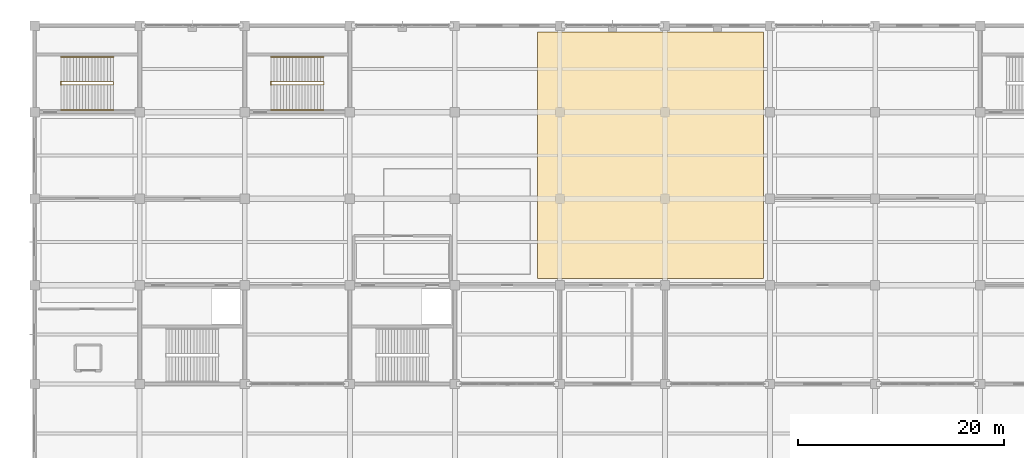
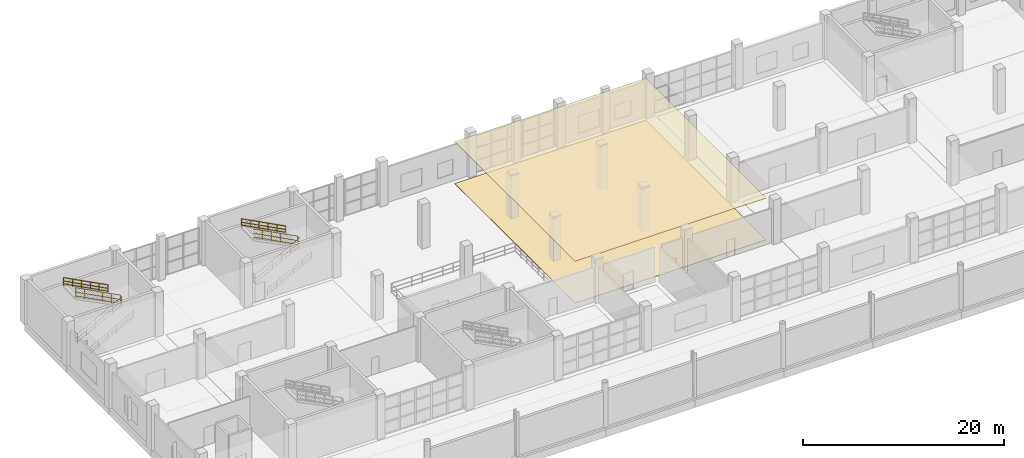
# One storey, part 173 of 175: 8 railings, 2 coverings.
"""IFC4 building model written with IfcOpenShell, lengths in metres."""

from ifc_helpers import new_model, si_unit, direction, frame, origin, origin_2d, place, context, subcontext, project, spatial, polyline, circle, outline, extrude, material, layer, layer_set, type_object, element, save


model = new_model("IFC4")

# Units and contexts
model_context = context("Model", 3, precision=1e-05, world=origin(), true_north=direction((0.0, 1.0)))
body_context = subcontext(model_context, "Body", "Model", "MODEL_VIEW")
ifc_project = project(units=[si_unit("LENGTHUNIT", "METRE"), si_unit("AREAUNIT", "SQUARE_METRE"), si_unit("VOLUMEUNIT", "CUBIC_METRE"), si_unit("PLANEANGLEUNIT", "RADIAN"), si_unit("MASSUNIT", "GRAM", prefix="KILO")], contexts=[model_context])

# Site, building, storey
site_placement = place(None, origin())
site = spatial("IfcSite", under=ifc_project, at=site_placement, CompositionType="ELEMENT")
building_placement = place(site_placement, origin())
building = spatial("IfcBuilding", under=site, at=building_placement, Name="Brelvane Convention Centre", CompositionType="ELEMENT")
storey_placement = place(building_placement, frame((0.0, 0.0, 5.39990234375)))
storey = spatial("IfcBuildingStorey", under=building, at=storey_placement, Name="L01", CompositionType="ELEMENT", Elevation=5.39990234375)

# Coverings
ifc_material_1 = material(Name="Perforated Anodised Aluminium Alloy 6063 Acoustic Baffle", Category="aluminium")
ifc_layer_1 = layer(ifc_material_1, 0.06005859375)
ifc_layer_set_1 = layer_set([ifc_layer_1], Name="Perforated Anodised Aluminium Alloy 6063 Acoustic Baffle")
covering_type_1 = type_object("IfcCoveringType", Name="Interior Finish CL-BAF-60", PredefinedType="CEILING", material=ifc_layer_set_1)
covering_1_placement = place(storey_placement, frame((0.0, 0.0, 5.06005859375)))
element("IfcCovering", 1, at=covering_1_placement, inside=storey, type_object=covering_type_1, Name="Meeting Room 203 Acoustic Ceiling (CL-BAF-60)", PredefinedType="CEILING", context=body_context, shape_type="SweptSolid", body=[
    extrude(outline(polyline([(48.830078125, 119.429931640625), (70.77001953125, 119.429931640625), (70.77001953125, 143.3701171875), (48.830078125, 143.3701171875), (48.830078125, 119.429931640625)])), origin(), (0.0, 0.0, 1.0), 0.06005859375),
])
ifc_material_2 = material(Name="Polished Basalt-Aggregate Terrazzo Screed Concrete M30", Category="masonry")
ifc_layer_2 = layer(ifc_material_2, 0.0400390625)
ifc_layer_set_2 = layer_set([ifc_layer_2], Name="Polished Basalt-Aggregate Terrazzo Screed Concrete M30")
covering_type_2 = type_object("IfcCoveringType", Name="Interior Finish FL-TER-40", PredefinedType="FLOORING", material=ifc_layer_set_2)
covering_2_placement = place(storey_placement, origin())
element("IfcCovering", 2, at=covering_2_placement, inside=storey, type_object=covering_type_2, Name="Meeting Room 203 Floor Finish (FL-TER-40)", PredefinedType="FLOORING", context=body_context, shape_type="SweptSolid", body=[
    extrude(outline(polyline([(48.830078125, 119.429931640625), (70.77001953125, 119.429931640625), (70.77001953125, 143.3701171875), (48.830078125, 143.3701171875), (48.830078125, 119.429931640625)])), origin(), (0.0, 0.0, 1.0), 0.0400390625),
])

# Railings
ifc_material_3 = material(Name="Steel E350 (350 MPa)", Category="steel")
railing_type_1 = type_object("IfcRailingType", Name="Stair Railing GR-ST-1", PredefinedType="GUARDRAIL", material=ifc_material_3)
railing_1_placement = place(storey_placement, frame((22.949951171875, 138.239990234375, -0.02001953125)))
element("IfcRailing", 3, at=railing_1_placement, inside=storey, type_object=railing_type_1, Name="Stair ST-13 L01 Inner Well Guard", PredefinedType="GUARDRAIL", context=body_context, shape_type="SweptSolid", body=[
    extrude(circle(Radius=0.02392578125, at=origin_2d()), frame((0.0, 0.0, 1.1259765625), z_axis=(0.882341248864, 0.0, 0.470610157724), x_axis=(0.0, 1.0, 0.0)), (0.0, 0.0, 1.0), 5.7802734375),
    extrude(circle(Radius=0.02392578125, at=origin_2d()), frame((0.0, 0.0, 0.597900390625), z_axis=(0.882341248864, 0.0, 0.470610157724), x_axis=(0.0, 1.0, 0.0)), (0.0, 0.0, 1.0), 5.7802734375),
    extrude(circle(Radius=0.02392578125, at=origin_2d()), frame((0.0, 0.0, 0.139892578125), z_axis=(0.882341248864, 0.0, 0.470610157724), x_axis=(0.0, 1.0, 0.0)), (0.0, 0.0, 1.0), 5.7802734375),
    extrude(circle(Radius=0.02392578125, at=origin_2d()), frame((5.10009765625, 0.0, 3.84619140625), z_axis=(0.0, 1.0, 0.0), x_axis=(-1.0, 0.0, 0.0)), (0.0, 0.0, 1.0), 0.320068359375),
    extrude(circle(Radius=0.02392578125, at=origin_2d()), frame((5.10009765625, 0.0, 3.318115234375), z_axis=(0.0, 1.0, 0.0), x_axis=(-1.0, 0.0, 0.0)), (0.0, 0.0, 1.0), 0.320068359375),
    extrude(circle(Radius=0.02392578125, at=origin_2d()), frame((5.10009765625, 0.0, 2.860107421875), z_axis=(0.0, 1.0, 0.0), x_axis=(-1.0, 0.0, 0.0)), (0.0, 0.0, 1.0), 0.320068359375),
    extrude(circle(Radius=0.02392578125, at=origin_2d()), frame((5.10009765625, 0.320068359375, 3.84619140625), z_axis=(-0.885227801088, 0.0, 0.465157758379), x_axis=(0.0, -1.0, 0.0)), (0.0, 0.0, 1.0), 5.76123046875),
    extrude(circle(Radius=0.02392578125, at=origin_2d()), frame((5.10009765625, 0.320068359375, 3.318115234375), z_axis=(-0.885227801088, 0.0, 0.465157758379), x_axis=(0.0, -1.0, 0.0)), (0.0, 0.0, 1.0), 5.76123046875),
    extrude(circle(Radius=0.02392578125, at=origin_2d()), frame((5.10009765625, 0.320068359375, 2.860107421875), z_axis=(-0.885227801088, 0.0, 0.465157758379), x_axis=(0.0, -1.0, 0.0)), (0.0, 0.0, 1.0), 5.76123046875),
    extrude(circle(Radius=0.02099609375, at=origin_2d()), origin(), (0.0, 0.0, 1.0), 1.101806640625),
    extrude(circle(Radius=0.02099609375, at=origin_2d()), frame((1.02001953125, 0.0, 0.5439453125)), (0.0, 0.0, 1.0), 1.101806640625),
    extrude(circle(Radius=0.02099609375, at=origin_2d()), frame((2.0400390625, 0.0, 1.088134765625)), (0.0, 0.0, 1.0), 1.101806640625),
    extrude(circle(Radius=0.02099609375, at=origin_2d()), frame((3.06005859375, 0.0, 1.632080078125)), (0.0, 0.0, 1.0), 1.101806640625),
    extrude(circle(Radius=0.02099609375, at=origin_2d()), frame((4.080078125, 0.0, 2.17626953125)), (0.0, 0.0, 1.0), 1.101806640625),
    extrude(circle(Radius=0.02099609375, at=origin_2d()), frame((5.10009765625, 0.0, 2.72021484375)), (0.0, 0.0, 1.0), 1.101806640625),
    extrude(circle(Radius=0.02099609375, at=origin_2d()), frame((5.10009765625, 0.320068359375, 2.72021484375)), (0.0, 0.0, 1.0), 1.101806640625),
    extrude(circle(Radius=0.02099609375, at=origin_2d()), frame((4.080078125, 0.320068359375, 3.256103515625)), (0.0, 0.0, 1.0), 1.101806640625),
    extrude(circle(Radius=0.02099609375, at=origin_2d()), frame((3.06005859375, 0.320068359375, 3.792236328125)), (0.0, 0.0, 1.0), 1.101806640625),
    extrude(circle(Radius=0.02099609375, at=origin_2d()), frame((2.0400390625, 0.320068359375, 4.328125)), (0.0, 0.0, 1.0), 1.101806640625),
    extrude(circle(Radius=0.02099609375, at=origin_2d()), frame((1.02001953125, 0.320068359375, 4.8642578125)), (0.0, 0.0, 1.0), 1.101806640625),
    extrude(circle(Radius=0.02099609375, at=origin_2d()), frame((0.0, 0.320068359375, 5.400146484375)), (0.0, 0.0, 1.0), 1.101806640625),
])
railing_2_placement = place(storey_placement, frame((2.550048828125, 138.239990234375, -0.02001953125)))
element("IfcRailing", 4, at=railing_2_placement, inside=storey, type_object=railing_type_1, Name="Stair ST-17 L01 Inner Well Guard", PredefinedType="GUARDRAIL", context=body_context, shape_type="SweptSolid", body=[
    extrude(circle(Radius=0.02392578125, at=origin_2d()), frame((0.0, 0.0, 1.1259765625), z_axis=(0.882331893838, 0.0, 0.470627696929), x_axis=(0.0, 1.0, 0.0)), (0.0, 0.0, 1.0), 5.780029296875),
    extrude(circle(Radius=0.02392578125, at=origin_2d()), frame((0.0, 0.0, 0.597900390625), z_axis=(0.882331893838, 0.0, 0.470627696929), x_axis=(0.0, 1.0, 0.0)), (0.0, 0.0, 1.0), 5.780029296875),
    extrude(circle(Radius=0.02392578125, at=origin_2d()), frame((0.0, 0.0, 0.139892578125), z_axis=(0.882331893838, 0.0, 0.470627696929), x_axis=(0.0, 1.0, 0.0)), (0.0, 0.0, 1.0), 5.780029296875),
    extrude(circle(Radius=0.02392578125, at=origin_2d()), frame((5.099853515625, 0.0, 3.84619140625), z_axis=(0.0, 1.0, 0.0), x_axis=(-1.0, 0.0, 0.0)), (0.0, 0.0, 1.0), 0.320068359375),
    extrude(circle(Radius=0.02392578125, at=origin_2d()), frame((5.099853515625, 0.0, 3.318115234375), z_axis=(0.0, 1.0, 0.0), x_axis=(-1.0, 0.0, 0.0)), (0.0, 0.0, 1.0), 0.320068359375),
    extrude(circle(Radius=0.02392578125, at=origin_2d()), frame((5.099853515625, 0.0, 2.860107421875), z_axis=(0.0, 1.0, 0.0), x_axis=(-1.0, 0.0, 0.0)), (0.0, 0.0, 1.0), 0.320068359375),
    extrude(circle(Radius=0.02392578125, at=origin_2d()), frame((5.099853515625, 0.320068359375, 3.84619140625), z_axis=(-0.885218631674, 0.0, 0.465175207999), x_axis=(0.0, -1.0, 0.0)), (0.0, 0.0, 1.0), 5.76123046875),
    extrude(circle(Radius=0.02392578125, at=origin_2d()), frame((5.099853515625, 0.320068359375, 3.318115234375), z_axis=(-0.885218631674, 0.0, 0.465175207999), x_axis=(0.0, -1.0, 0.0)), (0.0, 0.0, 1.0), 5.76123046875),
    extrude(circle(Radius=0.02392578125, at=origin_2d()), frame((5.099853515625, 0.320068359375, 2.860107421875), z_axis=(-0.885218631674, 0.0, 0.465175207999), x_axis=(0.0, -1.0, 0.0)), (0.0, 0.0, 1.0), 5.76123046875),
    extrude(circle(Radius=0.02099609375, at=origin_2d()), origin(), (0.0, 0.0, 1.0), 1.101806640625),
    extrude(circle(Radius=0.02099609375, at=origin_2d()), frame((1.02001953125, 0.0, 0.5439453125)), (0.0, 0.0, 1.0), 1.101806640625),
    extrude(circle(Radius=0.02099609375, at=origin_2d()), frame((2.0400390625, 0.0, 1.088134765625)), (0.0, 0.0, 1.0), 1.101806640625),
    extrude(circle(Radius=0.02099609375, at=origin_2d()), frame((3.059814453125, 0.0, 1.632080078125)), (0.0, 0.0, 1.0), 1.101806640625),
    extrude(circle(Radius=0.02099609375, at=origin_2d()), frame((4.079833984375, 0.0, 2.17626953125)), (0.0, 0.0, 1.0), 1.101806640625),
    extrude(circle(Radius=0.02099609375, at=origin_2d()), frame((5.099853515625, 0.0, 2.72021484375)), (0.0, 0.0, 1.0), 1.101806640625),
    extrude(circle(Radius=0.02099609375, at=origin_2d()), frame((5.099853515625, 0.320068359375, 2.72021484375)), (0.0, 0.0, 1.0), 1.101806640625),
    extrude(circle(Radius=0.02099609375, at=origin_2d()), frame((4.079833984375, 0.320068359375, 3.256103515625)), (0.0, 0.0, 1.0), 1.101806640625),
    extrude(circle(Radius=0.02099609375, at=origin_2d()), frame((3.059814453125, 0.320068359375, 3.792236328125)), (0.0, 0.0, 1.0), 1.101806640625),
    extrude(circle(Radius=0.02099609375, at=origin_2d()), frame((2.0400390625, 0.320068359375, 4.328125)), (0.0, 0.0, 1.0), 1.101806640625),
    extrude(circle(Radius=0.02099609375, at=origin_2d()), frame((1.02001953125, 0.320068359375, 4.8642578125)), (0.0, 0.0, 1.0), 1.101806640625),
    extrude(circle(Radius=0.02099609375, at=origin_2d()), frame((0.0, 0.320068359375, 5.400146484375)), (0.0, 0.0, 1.0), 1.101806640625),
])
ifc_material_4 = material(Name="Steel E350 (350 MPa)", Category="steel")
railing_type_2 = type_object("IfcRailingType", Name="Stair Railing GR-ST-2", PredefinedType="GUARDRAIL", material=ifc_material_4)
for number, where, name in (
    (5, (22.949951171875, 138.239990234375, -0.02001953125), "Stair ST-13 L01 Landing Well Guard"),
    (6, (2.550048828125, 138.239990234375, -0.02001953125), "Stair ST-17 L01 Landing Well Guard"),
):
    element("IfcRailing", number, at=place(storey_placement, frame(where)), inside=storey, type_object=railing_type_2, Name=name, PredefinedType="GUARDRAIL", context=body_context, shape_type="SweptSolid", body=[
        extrude(circle(Radius=0.02392578125, at=origin_2d()), frame((0.0, 0.0, 1.15576171875), z_axis=(0.0, 1.0, 0.0), x_axis=(-1.0, 0.0, 0.0)), (0.0, 0.0, 1.0), 0.320068359375),
        extrude(circle(Radius=0.02392578125, at=origin_2d()), frame((0.0, 0.0, 0.613525390625), z_axis=(0.0, 1.0, 0.0), x_axis=(-1.0, 0.0, 0.0)), (0.0, 0.0, 1.0), 0.320068359375),
        extrude(circle(Radius=0.02392578125, at=origin_2d()), frame((0.0, 0.0, 0.139892578125), z_axis=(0.0, 1.0, 0.0), x_axis=(-1.0, 0.0, 0.0)), (0.0, 0.0, 1.0), 0.320068359375),
        extrude(circle(Radius=0.02099609375, at=origin_2d()), origin(), (0.0, 0.0, 1.0), 1.1318359375),
        extrude(circle(Radius=0.02099609375, at=origin_2d()), frame((0.0, 0.320068359375, 0.0)), (0.0, 0.0, 1.0), 1.1318359375),
    ])
ifc_material_5 = material(Name="Steel E350 (350 MPa)", Category="steel")
railing_type_3 = type_object("IfcRailingType", Name="Stair Railing HR-ST-1", PredefinedType="HANDRAIL", material=ifc_material_5)
railing_3_placement = place(storey_placement, frame((22.949951171875, 135.830078125, -0.02001953125)))
element("IfcRailing", 7, at=railing_3_placement, inside=storey, type_object=railing_type_3, Name="Stair ST-13 L01 Outer Handrail F1", PredefinedType="HANDRAIL", context=body_context, shape_type="SweptSolid", body=[
    extrude(circle(Radius=0.02392578125, at=origin_2d()), frame((0.0, 0.0, 0.89599609375), z_axis=(0.882341248864, 0.0, 0.470610157724), x_axis=(0.0, 1.0, 0.0)), (0.0, 0.0, 1.0), 5.7802734375),
    extrude(circle(Radius=0.02392578125, at=origin_2d()), frame((0.0, 0.0, 0.478271484375), z_axis=(0.882341248864, 0.0, 0.470610157724), x_axis=(0.0, 1.0, 0.0)), (0.0, 0.0, 1.0), 5.7802734375),
    extrude(circle(Radius=0.02392578125, at=origin_2d()), frame((0.0, 0.0, 0.139892578125), z_axis=(0.882341248864, 0.0, 0.470610157724), x_axis=(0.0, 1.0, 0.0)), (0.0, 0.0, 1.0), 5.7802734375),
    extrude(circle(Radius=0.02099609375, at=origin_2d()), origin(), (0.0, 0.0, 1.0), 0.871826171875),
    extrude(circle(Radius=0.02099609375, at=origin_2d()), frame((1.02001953125, 0.0, 0.5439453125)), (0.0, 0.0, 1.0), 0.871826171875),
    extrude(circle(Radius=0.02099609375, at=origin_2d()), frame((2.0400390625, 0.0, 1.088134765625)), (0.0, 0.0, 1.0), 0.871826171875),
    extrude(circle(Radius=0.02099609375, at=origin_2d()), frame((3.06005859375, 0.0, 1.632080078125)), (0.0, 0.0, 1.0), 0.871826171875),
    extrude(circle(Radius=0.02099609375, at=origin_2d()), frame((4.080078125, 0.0, 2.17626953125)), (0.0, 0.0, 1.0), 0.871826171875),
    extrude(circle(Radius=0.02099609375, at=origin_2d()), frame((5.10009765625, 0.0, 2.72021484375)), (0.0, 0.0, 1.0), 0.871826171875),
])
railing_4_placement = place(storey_placement, frame((28.050048828125, 140.969970703125, 2.7001953125)))
element("IfcRailing", 8, at=railing_4_placement, inside=storey, type_object=railing_type_3, Name="Stair ST-13 L01 Outer Handrail F2", PredefinedType="HANDRAIL", context=body_context, shape_type="SweptSolid", body=[
    extrude(circle(Radius=0.02392578125, at=origin_2d()), frame((0.0, 0.0, 0.89599609375), z_axis=(-0.885227801088, 0.0, 0.465157758379), x_axis=(0.0, -1.0, 0.0)), (0.0, 0.0, 1.0), 5.76123046875),
    extrude(circle(Radius=0.02392578125, at=origin_2d()), frame((0.0, 0.0, 0.478271484375), z_axis=(-0.885227801088, 0.0, 0.465157758379), x_axis=(0.0, -1.0, 0.0)), (0.0, 0.0, 1.0), 5.76123046875),
    extrude(circle(Radius=0.02392578125, at=origin_2d()), frame((0.0, 0.0, 0.139892578125), z_axis=(-0.885227801088, 0.0, 0.465157758379), x_axis=(0.0, -1.0, 0.0)), (0.0, 0.0, 1.0), 5.76123046875),
    extrude(circle(Radius=0.02099609375, at=origin_2d()), origin(), (0.0, 0.0, 1.0), 0.871826171875),
    extrude(circle(Radius=0.02099609375, at=origin_2d()), frame((-1.02001953125, 0.0, 0.535888671875)), (0.0, 0.0, 1.0), 0.871826171875),
    extrude(circle(Radius=0.02099609375, at=origin_2d()), frame((-2.0400390625, 0.0, 1.072021484375)), (0.0, 0.0, 1.0), 0.871826171875),
    extrude(circle(Radius=0.02099609375, at=origin_2d()), frame((-3.06005859375, 0.0, 1.60791015625)), (0.0, 0.0, 1.0), 0.871826171875),
    extrude(circle(Radius=0.02099609375, at=origin_2d()), frame((-4.080078125, 0.0, 2.14404296875)), (0.0, 0.0, 1.0), 0.871826171875),
    extrude(circle(Radius=0.02099609375, at=origin_2d()), frame((-5.10009765625, 0.0, 2.679931640625)), (0.0, 0.0, 1.0), 0.871826171875),
])
railing_5_placement = place(storey_placement, frame((2.550048828125, 135.830078125, -0.02001953125)))
element("IfcRailing", 9, at=railing_5_placement, inside=storey, type_object=railing_type_3, Name="Stair ST-17 L01 Outer Handrail F1", PredefinedType="HANDRAIL", context=body_context, shape_type="SweptSolid", body=[
    extrude(circle(Radius=0.02392578125, at=origin_2d()), frame((0.0, 0.0, 0.89599609375), z_axis=(0.882331893838, 0.0, 0.470627696929), x_axis=(0.0, 1.0, 0.0)), (0.0, 0.0, 1.0), 5.780029296875),
    extrude(circle(Radius=0.02392578125, at=origin_2d()), frame((0.0, 0.0, 0.478271484375), z_axis=(0.882331893838, 0.0, 0.470627696929), x_axis=(0.0, 1.0, 0.0)), (0.0, 0.0, 1.0), 5.780029296875),
    extrude(circle(Radius=0.02392578125, at=origin_2d()), frame((0.0, 0.0, 0.139892578125), z_axis=(0.882331893838, 0.0, 0.470627696929), x_axis=(0.0, 1.0, 0.0)), (0.0, 0.0, 1.0), 5.780029296875),
    extrude(circle(Radius=0.02099609375, at=origin_2d()), origin(), (0.0, 0.0, 1.0), 0.871826171875),
    extrude(circle(Radius=0.02099609375, at=origin_2d()), frame((1.02001953125, 0.0, 0.5439453125)), (0.0, 0.0, 1.0), 0.871826171875),
    extrude(circle(Radius=0.02099609375, at=origin_2d()), frame((2.0400390625, 0.0, 1.088134765625)), (0.0, 0.0, 1.0), 0.871826171875),
    extrude(circle(Radius=0.02099609375, at=origin_2d()), frame((3.059814453125, 0.0, 1.632080078125)), (0.0, 0.0, 1.0), 0.871826171875),
    extrude(circle(Radius=0.02099609375, at=origin_2d()), frame((4.079833984375, 0.0, 2.17626953125)), (0.0, 0.0, 1.0), 0.871826171875),
    extrude(circle(Radius=0.02099609375, at=origin_2d()), frame((5.099853515625, 0.0, 2.72021484375)), (0.0, 0.0, 1.0), 0.871826171875),
])
railing_6_placement = place(storey_placement, frame((7.64990234375, 140.969970703125, 2.7001953125)))
element("IfcRailing", 10, at=railing_6_placement, inside=storey, type_object=railing_type_3, Name="Stair ST-17 L01 Outer Handrail F2", PredefinedType="HANDRAIL", context=body_context, shape_type="SweptSolid", body=[
    extrude(circle(Radius=0.02392578125, at=origin_2d()), frame((0.0, 0.0, 0.89599609375), z_axis=(-0.885218631674, 0.0, 0.465175207999), x_axis=(0.0, -1.0, 0.0)), (0.0, 0.0, 1.0), 5.76123046875),
    extrude(circle(Radius=0.02392578125, at=origin_2d()), frame((0.0, 0.0, 0.478271484375), z_axis=(-0.885218631674, 0.0, 0.465175207999), x_axis=(0.0, -1.0, 0.0)), (0.0, 0.0, 1.0), 5.76123046875),
    extrude(circle(Radius=0.02392578125, at=origin_2d()), frame((0.0, 0.0, 0.139892578125), z_axis=(-0.885218631674, 0.0, 0.465175207999), x_axis=(0.0, -1.0, 0.0)), (0.0, 0.0, 1.0), 5.76123046875),
    extrude(circle(Radius=0.02099609375, at=origin_2d()), origin(), (0.0, 0.0, 1.0), 0.871826171875),
    extrude(circle(Radius=0.02099609375, at=origin_2d()), frame((-1.02001953125, 0.0, 0.535888671875)), (0.0, 0.0, 1.0), 0.871826171875),
    extrude(circle(Radius=0.02099609375, at=origin_2d()), frame((-2.0400390625, 0.0, 1.072021484375)), (0.0, 0.0, 1.0), 0.871826171875),
    extrude(circle(Radius=0.02099609375, at=origin_2d()), frame((-3.059814453125, 0.0, 1.60791015625)), (0.0, 0.0, 1.0), 0.871826171875),
    extrude(circle(Radius=0.02099609375, at=origin_2d()), frame((-4.079833984375, 0.0, 2.14404296875)), (0.0, 0.0, 1.0), 0.871826171875),
    extrude(circle(Radius=0.02099609375, at=origin_2d()), frame((-5.099853515625, 0.0, 2.679931640625)), (0.0, 0.0, 1.0), 0.871826171875),
])

save(model, "model.ifc")
